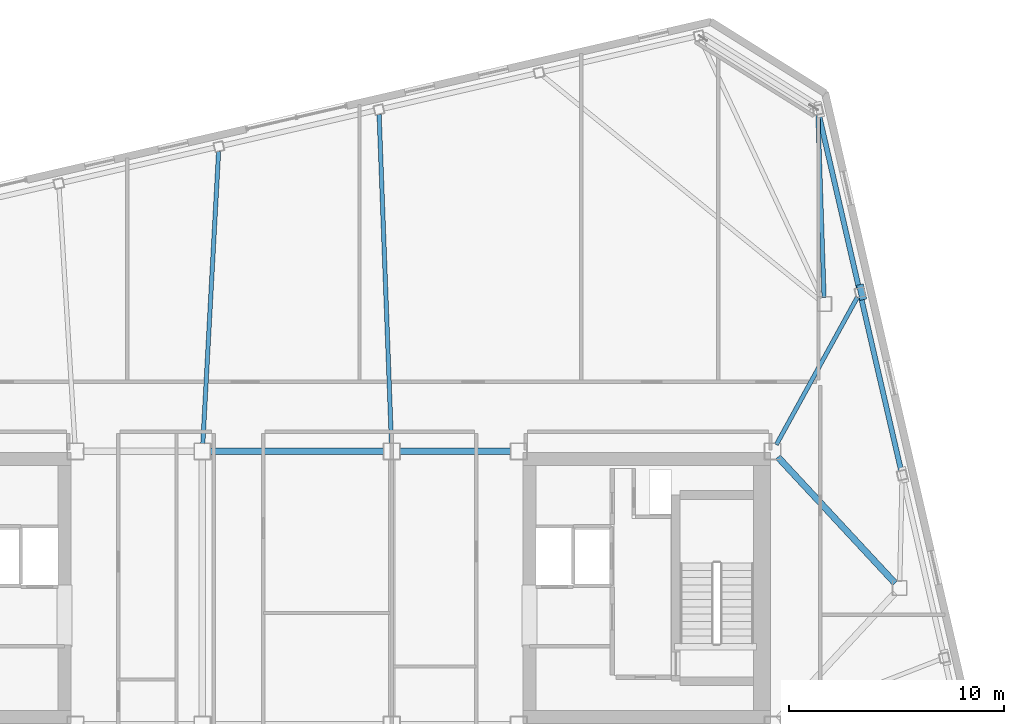
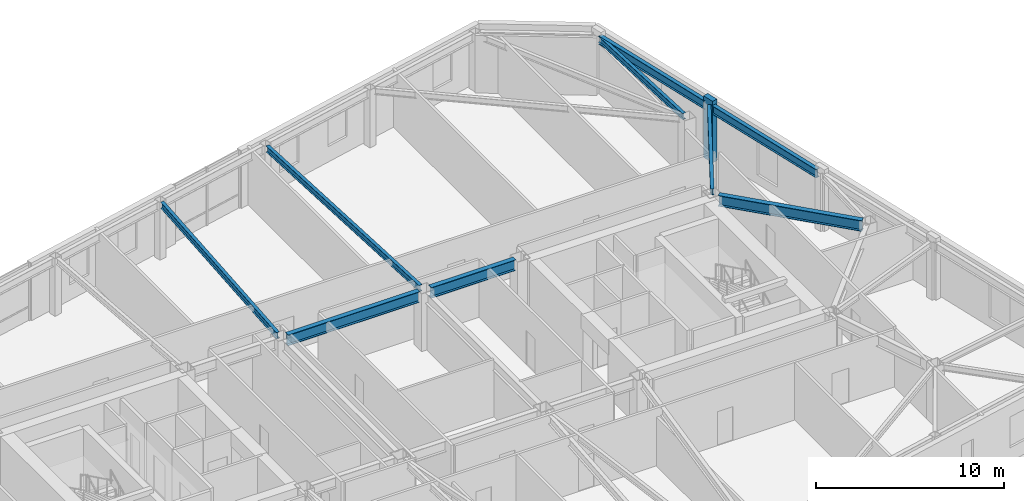
# One storey, part 11 of 21: 9 beams, 1 member.
"""IFC4 building model written with IfcOpenShell, lengths in metres."""

from ifc_helpers import new_model, si_unit, direction, frame, origin, origin_2d, place, context, subcontext, project, spatial, rectangle, i_section, extrude, material, material_profile, profile_set, type_object, element, save


model = new_model("IFC4")

# Units and contexts
model_context = context("Model", 3, precision=1e-05, world=origin(), true_north=direction((0.0, 1.0)))
body_context = subcontext(model_context, "Body", "Model", "MODEL_VIEW")
ifc_project = project(units=[si_unit("LENGTHUNIT", "METRE"), si_unit("AREAUNIT", "SQUARE_METRE"), si_unit("VOLUMEUNIT", "CUBIC_METRE"), si_unit("PLANEANGLEUNIT", "RADIAN"), si_unit("MASSUNIT", "GRAM", prefix="KILO")], contexts=[model_context])

# Site, building, storey
site_placement = place(None, origin())
site = spatial("IfcSite", under=ifc_project, at=site_placement, CompositionType="ELEMENT")
building_placement = place(site_placement, origin())
building = spatial("IfcBuilding", under=site, at=building_placement, Name="Tavrogorsk Clinical Tower", CompositionType="ELEMENT")
storey_placement = place(building_placement, frame((0.0, 0.0, 285.0)))
storey = spatial("IfcBuildingStorey", under=building, at=storey_placement, Name="L66", CompositionType="ELEMENT", Elevation=285.0)

# Beams
ifc_material_1 = material(Name="Structural steel S355", Category="steel")
ifc_material_profile_1 = material_profile(ifc_material_1, i_section(OverallWidth=0.199951171875, OverallDepth=0.39990234375, WebThickness=0.010498046875, FlangeThickness=0.01611328125, at=origin_2d()), Name="B-400x200x10.5x16")
ifc_profile_set_1 = profile_set([ifc_material_profile_1], Name="Structural steel S355")
beam_type_1 = type_object("IfcBeamType", Name="FloorBeam_B400", PredefinedType="BEAM", material=ifc_profile_set_1)
beam_1_placement = place(storey_placement, frame((4.386474609375, 6.709716796875, 3.5400390625), z_axis=(-0.037467286709, 0.999297854709, 0.0), x_axis=(-0.999297854709, -0.037467286709, 0.0)))
element("IfcBeam", 1, at=beam_1_placement, inside=storey, type_object=beam_type_1, Name="L66 Radial Floor Beam N3", PredefinedType="BEAM", context=body_context, shape_type="SweptSolid", body=[
    extrude(i_section(OverallWidth=0.199951171875, OverallDepth=0.39990234375, WebThickness=0.010498046875, FlangeThickness=0.01611328125, at=origin_2d()), origin(), (0.0, 0.0, 1.0), 15.2998046875),
])
beam_2_placement = place(storey_placement, frame((-4.380615234375, 6.70947265625, 3.5400390625), z_axis=(0.053993651681, 0.998541278855, 0.0), x_axis=(-0.998541278855, 0.053993651681, 0.0)))
element("IfcBeam", 2, at=beam_2_placement, inside=storey, type_object=beam_type_1, Name="L66 Radial Floor Beam N4", PredefinedType="BEAM", context=body_context, shape_type="SweptSolid", body=[
    extrude(i_section(OverallWidth=0.199951171875, OverallDepth=0.39990234375, WebThickness=0.010498046875, FlangeThickness=0.01611328125, at=origin_2d()), origin(), (0.0, 0.0, 1.0), 13.592041015625),
])
beam_3_placement = place(storey_placement, frame((22.2734375, 6.66552734375, 3.5400390625), z_axis=(0.481704510728, 0.876333706042, 0.0), x_axis=(-0.876333706042, 0.481704510728, 0.0)))
element("IfcBeam", 3, at=beam_3_placement, inside=storey, type_object=beam_type_1, Name="L66 Radial Floor Beam E4", PredefinedType="BEAM", context=body_context, shape_type="SweptSolid", body=[
    extrude(i_section(OverallWidth=0.199951171875, OverallDepth=0.39990234375, WebThickness=0.010498046875, FlangeThickness=0.01611328125, at=origin_2d()), origin(), (0.0, 0.0, 1.0), 7.8310546875),
])
beam_4_placement = place(storey_placement, frame((24.48974609375, 13.509765625, 3.5400390625), z_axis=(-0.033421222185, 0.999441354912, 0.0), x_axis=(-0.999441354912, -0.033421222185, 0.0)))
element("IfcBeam", 4, at=beam_4_placement, inside=storey, type_object=beam_type_1, Name="L66 Radial Floor Beam E5", PredefinedType="BEAM", context=body_context, shape_type="SweptSolid", body=[
    extrude(i_section(OverallWidth=0.199951171875, OverallDepth=0.39990234375, WebThickness=0.010498046875, FlangeThickness=0.01611328125, at=origin_2d()), origin(), (0.0, 0.0, 1.0), 8.48095703125),
])

# Member
ifc_material_2 = material(Name="Precast concrete B45 with limestone cladding", Category="masonry")
ifc_material_profile_2 = material_profile(ifc_material_2, rectangle(XDim=0.320068359375, YDim=0.719970703125, at=origin_2d()), Name="LIMESTONE-FIN-320x720")
ifc_profile_set_2 = profile_set([ifc_material_profile_2], Name="Precast concrete B45 with limestone cladding")
member_type = type_object("IfcMemberType", Name="LimestonePleatFin_320x720", PredefinedType="USERDEFINED", material=ifc_profile_set_2)
member_placement = place(storey_placement, frame((26.23583984375, 13.750244140625, 0.0), z_axis=(0.0, 0.0, 1.0), x_axis=(0.974370064785, 0.224951054344, 0.0)))
element("IfcMember", 5, at=member_placement, inside=storey, type_object=member_type, Name="L66 E Pleated Stone Fin 3", ObjectType="FIN", PredefinedType="USERDEFINED", context=body_context, shape_type="SweptSolid", body=[
    extrude(rectangle(XDim=0.320068359375, YDim=0.719970703125, at=origin_2d()), origin(), (0.0, 0.0, 1.0), 4.0),
])

# Beams
ifc_material_3 = material(Name="Structural steel S390", Category="steel")
ifc_material_profile_3 = material_profile(ifc_material_3, i_section(OverallWidth=0.300048828125, OverallDepth=0.699951171875, WebThickness=0.01708984375, FlangeThickness=0.028076171875, at=origin_2d()), Name="B-700x300x17x28")
ifc_profile_set_3 = profile_set([ifc_material_profile_3], Name="Structural steel S390")
beam_type_2 = type_object("IfcBeamType", Name="PrimaryGirder_B700", PredefinedType="USERDEFINED", material=ifc_profile_set_3)
beam_5_placement = place(storey_placement, frame((-4.0400390625, 6.35009765625, 3.389892578125), z_axis=(1.0, 0.0, 0.0), x_axis=(0.0, 1.0, 0.0)))
element("IfcBeam", 6, at=beam_5_placement, inside=storey, type_object=beam_type_2, Name="L66 Primary Spine Girder MG-04", ObjectType="GIRDER", PredefinedType="USERDEFINED", context=body_context, shape_type="SweptSolid", body=[
    extrude(i_section(OverallWidth=0.300048828125, OverallDepth=0.699951171875, WebThickness=0.01708984375, FlangeThickness=0.028076171875, at=origin_2d()), origin(), (0.0, 0.0, 1.0), 8.080078125),
])
beam_6_placement = place(storey_placement, frame((4.760009765625, 6.35009765625, 3.389892578125), z_axis=(1.0, 0.0, 0.0), x_axis=(0.0, 1.0, 0.0)))
element("IfcBeam", 7, at=beam_6_placement, inside=storey, type_object=beam_type_2, Name="L66 Primary Spine Girder MG-06", ObjectType="GIRDER", PredefinedType="USERDEFINED", context=body_context, shape_type="SweptSolid", body=[
    extrude(i_section(OverallWidth=0.300048828125, OverallDepth=0.699951171875, WebThickness=0.01708984375, FlangeThickness=0.028076171875, at=origin_2d()), origin(), (0.0, 0.0, 1.0), 5.179931640625),
])
beam_7_placement = place(storey_placement, frame((27.7890625, 0.22705078125, 3.389892578125), z_axis=(-0.680684060959, 0.732577101168, 0.0), x_axis=(-0.732577101168, -0.680684060959, 0.0)))
element("IfcBeam", 8, at=beam_7_placement, inside=storey, type_object=beam_type_2, Name="L66 Spine Link Girder OPG-8", ObjectType="GIRDER", PredefinedType="USERDEFINED", context=body_context, shape_type="SweptSolid", body=[
    extrude(i_section(OverallWidth=0.300048828125, OverallDepth=0.699951171875, WebThickness=0.01708984375, FlangeThickness=0.028076171875, at=origin_2d()), origin(), (0.0, 0.0, 1.0), 7.998046875),
])
ifc_material_4 = material(Name="Structural steel S390", Category="steel")
ifc_material_profile_4 = material_profile(ifc_material_4, i_section(OverallWidth=0.239990234375, OverallDepth=0.550048828125, WebThickness=0.013916015625, FlangeThickness=0.02197265625, at=origin_2d()), Name="B-550x240x14x22")
ifc_profile_set_4 = profile_set([ifc_material_profile_4], Name="Structural steel S390")
beam_type_3 = type_object("IfcBeamType", Name="SpandrelBeam_B550", PredefinedType="SPANDREL", material=ifc_profile_set_4)
beam_8_placement = place(storey_placement, frame((28.06494140625, 5.472412109375, 3.465087890625), z_axis=(-0.224978460613, 0.974363737144, 0.0), x_axis=(-0.974363737144, -0.224978460613, 0.0)))
element("IfcBeam", 9, at=beam_8_placement, inside=storey, type_object=beam_type_3, Name="L66 Perimeter Spandrel E3-E4", PredefinedType="SPANDREL", context=body_context, shape_type="SweptSolid", body=[
    extrude(i_section(OverallWidth=0.239990234375, OverallDepth=0.550048828125, WebThickness=0.013916015625, FlangeThickness=0.02197265625, at=origin_2d()), origin(), (0.0, 0.0, 1.0), 8.244140625),
])
beam_9_placement = place(storey_placement, frame((26.10546875, 13.959228515625, 3.465087890625), z_axis=(-0.224950345141, 0.974370228517, 0.0), x_axis=(-0.974370228517, -0.224950345141, 0.0)))
element("IfcBeam", 10, at=beam_9_placement, inside=storey, type_object=beam_type_3, Name="L66 Perimeter Spandrel E4-E5", PredefinedType="SPANDREL", context=body_context, shape_type="SweptSolid", body=[
    extrude(i_section(OverallWidth=0.239990234375, OverallDepth=0.550048828125, WebThickness=0.013916015625, FlangeThickness=0.02197265625, at=origin_2d()), origin(), (0.0, 0.0, 1.0), 8.243896484375),
])

save(model, "model.ifc")
